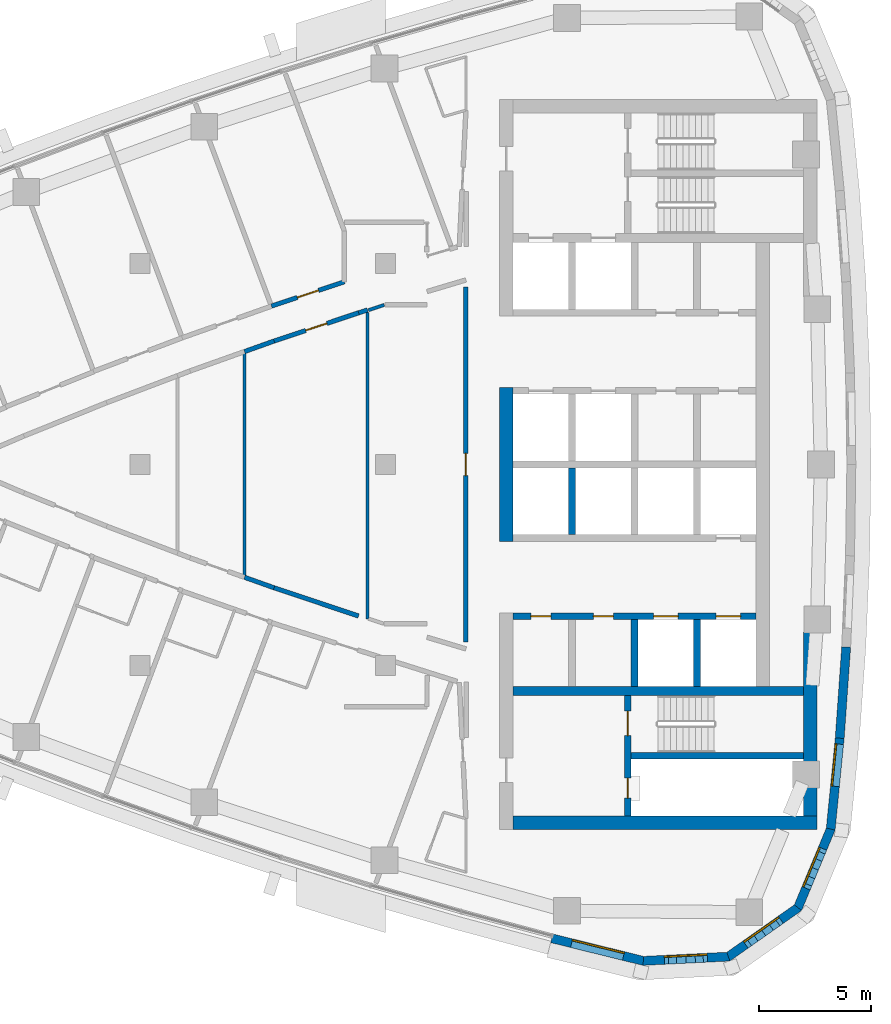
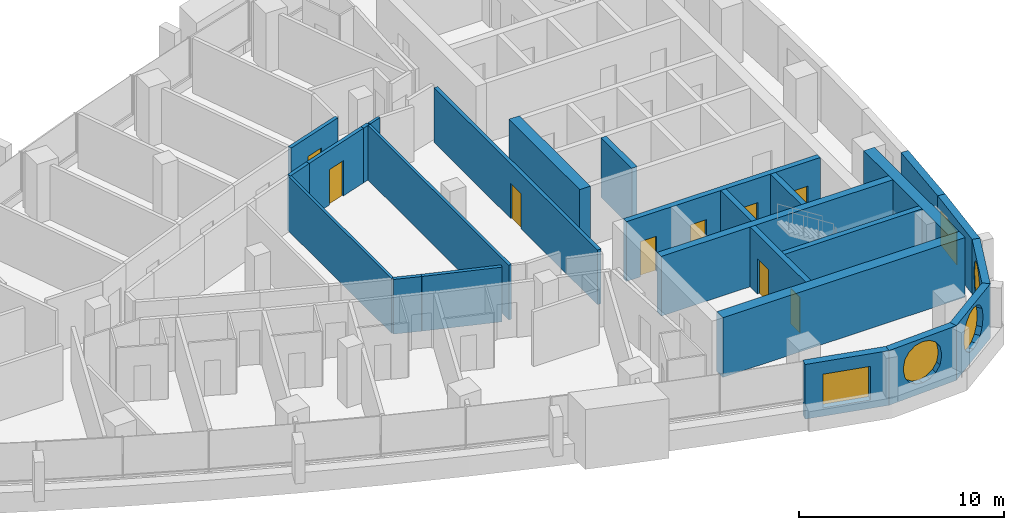
# One storey, part 10 of 16: 26 walls, 9 doors, 5 windows, 14 openings.
"""IFC4 building model written with IfcOpenShell, lengths in metres."""

import ifcopenshell
import ifcopenshell.guid

model = None  # the IFC model being written
_history = None  # IfcOwnerHistory: only IFC2X3 demands one
_inside = {}  # id of a spatial element -> (the spatial element, [elements in it])
_under = {}  # id of a project, library or spatial element -> (it, [spatial elements below it])
_declared = {}  # id of a project -> (the project, [libraries it declares])
_typed = {}  # id of a type object -> (the type object, [elements of that type])
_made_of = {}  # id of a material, layer set ... -> (it, [elements and type objects made of it])


def new_model(schema):
    """Start an empty IFC model of exactly this schema.

    Asked for "IFC4X3", IfcOpenShell would pick the latest addendum, in which some entities
    have other attributes; the version numbers below select the first issue.
    IFC2X3 requires an IfcOwnerHistory on every rooted entity: one is made here for all.
    """
    global model, _history
    if schema == "IFC4X3":
        model = ifcopenshell.file(schema_version=(4, 3, 0, 0))
    else:
        model = ifcopenshell.file(schema=schema)
    _inside.clear()
    _under.clear()
    _declared.clear()
    _typed.clear()
    _made_of.clear()
    _history = None
    if model.schema == "IFC2X3":
        org = make("IfcOrganization", Name="unknown")
        user = make(
            "IfcPersonAndOrganization",
            ThePerson=make("IfcPerson", FamilyName="unknown"),
            TheOrganization=org,
        )
        app = make(
            "IfcApplication",
            ApplicationDeveloper=org,
            Version="unknown",
            ApplicationFullName="unknown",
            ApplicationIdentifier="unknown",
        )
        _history = make(
            "IfcOwnerHistory",
            OwningUser=user,
            OwningApplication=app,
            ChangeAction="ADDED",
            CreationDate=0,
        )
    return model


def make(cls, **values):
    """One entity of the class cls with the attributes given. An attribute that is None is left unset."""
    return model.create_entity(
        cls, **{name: value for name, value in values.items() if value is not None}
    )


def rooted(cls, **values):
    """An entity with a GlobalId (a new one), such as an element, a storey or a relation."""
    return make(cls, GlobalId=ifcopenshell.guid.new(), OwnerHistory=_history, **values)


def si_unit(unit_type, name, prefix=None):
    """IfcSIUnit, for example si_unit("LENGTHUNIT", "METRE", prefix="MILLI")."""
    return make("IfcSIUnit", UnitType=unit_type, Prefix=prefix, Name=name)


def assignment(units):
    """IfcUnitAssignment: the units of a project."""
    return None if units is None else make("IfcUnitAssignment", Units=units)


def point(xyz):
    """IfcCartesianPoint."""
    return None if xyz is None else make("IfcCartesianPoint", Coordinates=xyz)


def direction(xyz):
    """IfcDirection."""
    return None if xyz is None else make("IfcDirection", DirectionRatios=xyz)


def frame(location, z_axis=None, x_axis=None):
    """IfcAxis2Placement3D, a coordinate frame: its origin and axes. An axis left out is left unset."""
    return make(
        "IfcAxis2Placement3D",
        Location=point(location),
        Axis=direction(z_axis),
        RefDirection=direction(x_axis),
    )


def frame_2d(location, x_axis=None):
    """IfcAxis2Placement2D, a coordinate frame in the plane: its origin and x axis."""
    return make(
        "IfcAxis2Placement2D", Location=point(location), RefDirection=direction(x_axis)
    )


def origin():
    """The frame at (0, 0, 0) with its axes left unset."""
    return frame((0.0, 0.0, 0.0))


def place(relative_to, where):
    """IfcLocalPlacement: puts the frame where relative to a parent placement (None: the world)."""
    return make(
        "IfcLocalPlacement", PlacementRelTo=relative_to, RelativePlacement=where
    )


def context(
    kind, dimensions, precision=None, world=None, true_north=None, identifier=None
):
    """IfcGeometricRepresentationContext, for example the 3D "Model" context."""
    return make(
        "IfcGeometricRepresentationContext",
        ContextIdentifier=identifier,
        ContextType=kind,
        CoordinateSpaceDimension=dimensions,
        Precision=precision,
        WorldCoordinateSystem=world,
        TrueNorth=true_north,
    )


def subcontext(parent, identifier, kind, view, scale=None):
    """IfcGeometricRepresentationSubContext, for example "Body" below "Model"."""
    return make(
        "IfcGeometricRepresentationSubContext",
        ContextIdentifier=identifier,
        ContextType=kind,
        ParentContext=parent,
        TargetScale=scale,
        TargetView=view,
    )


def project(units=None, contexts=None):
    """IfcProject with its units and contexts."""
    return rooted(
        "IfcProject",
        Name="project",
        RepresentationContexts=contexts,
        UnitsInContext=assignment(units),
    )


def spatial(cls, under=None, at=None, **own):
    """A site, building, storey or space (cls), placed at a placement, below another one or the project."""
    s = rooted(cls, ObjectPlacement=at, **own)
    if under is not None:
        _under.setdefault(under.id(), (under, []))[1].append(s)
    return s


def polyline(points):
    """IfcPolyline through the points."""
    return make("IfcPolyline", Points=[point(p) for p in points])


def profile(cls, at=None, kind="AREA", **sizes):
    """A parametric profile (cls). Its sizes go by their IFC names, for example OverallWidth=200.0."""
    return make(cls, ProfileType=kind, Position=at, **sizes)


def rectangle(**sizes):
    """IfcRectangleProfileDef."""
    return profile("IfcRectangleProfileDef", **sizes)


def outline(outer, holes=None, kind="AREA"):
    """IfcArbitraryClosedProfileDef: a profile drawn as a closed curve; with holes, ...WithVoids."""
    if holes is None:
        return make("IfcArbitraryClosedProfileDef", ProfileType=kind, OuterCurve=outer)
    return make(
        "IfcArbitraryProfileDefWithVoids",
        ProfileType=kind,
        OuterCurve=outer,
        InnerCurves=holes,
    )


def extrude(swept, where, along, depth):
    """IfcExtrudedAreaSolid: the profile swept, set in the frame where, extruded along a direction by depth."""
    return make(
        "IfcExtrudedAreaSolid",
        SweptArea=swept,
        Position=where,
        ExtrudedDirection=direction(along),
        Depth=depth,
    )


def shape(context_of_items, identifier, shape_type, items):
    """IfcShapeRepresentation: the items that make up one representation, for example the "Body"."""
    return make(
        "IfcShapeRepresentation",
        ContextOfItems=context_of_items,
        RepresentationIdentifier=identifier,
        RepresentationType=shape_type,
        Items=items,
    )


def material(Name=None, Category=None):
    """IfcMaterial."""
    return make("IfcMaterial", Name=Name, Category=Category)


def layer(
    of_material, thickness, ventilated=None, Name=None, Category=None, Priority=None
):
    """IfcMaterialLayer: one layer of a wall or slab, of a material (None: an air gap)."""
    return make(
        "IfcMaterialLayer",
        Material=of_material,
        LayerThickness=thickness,
        IsVentilated=ventilated,
        Name=Name,
        Category=Category,
        Priority=Priority,
    )


def layer_set(layers, Name=None):
    """IfcMaterialLayerSet."""
    return make("IfcMaterialLayerSet", MaterialLayers=layers, LayerSetName=Name)


def made_of(thing, what):
    """Note that an element or type object is made of a material, layer set ...; save() writes the relation."""
    if what is not None:
        _made_of.setdefault(what.id(), (what, []))[1].append(thing)
    return thing


def type_object(cls, material=None, **own):
    """A type object (cls), such as IfcWallType, which elements share."""
    return made_of(rooted(cls, **own), material)


def element(
    cls,
    number,
    at=None,
    inside=None,
    cuts=None,
    type_object=None,
    material=None,
    context=None,
    identifier="Body",
    shape_type=None,
    held_by="IfcProductDefinitionShape",
    body=None,
    shapes=None,
    **own,
):
    """One element of the class cls, such as IfcWall. Its Tag is "e" and its number.

    at: its placement. inside: the storey or other place that contains it. cuts: it is an
    opening in that element (IfcRelVoidsElement). A single representation is given by context,
    identifier, shape_type and body (its items); several are given by shapes. held_by: the class
    of the entity that holds the representations. save() writes the other relations.
    """
    e = rooted(cls, Tag="e%d" % number, ObjectPlacement=at, **own)
    if body is not None:
        shapes = [shape(context, identifier, shape_type, body)]
    if shapes is not None:
        e.Representation = make(held_by, Representations=shapes)
    if inside is not None:
        _inside.setdefault(inside.id(), (inside, []))[1].append(e)
    if cuts is not None:
        rooted(
            "IfcRelVoidsElement", RelatingBuildingElement=cuts, RelatedOpeningElement=e
        )
    if type_object is not None:
        _typed.setdefault(type_object.id(), (type_object, []))[1].append(e)
    return made_of(e, material)


def fill(opening, filler):
    """IfcRelFillsElement: the door or window that sits in an opening."""
    return rooted(
        "IfcRelFillsElement",
        RelatingOpeningElement=opening,
        RelatedBuildingElement=filler,
    )


def aggregate(whole, parts):
    """IfcRelAggregates: a whole, such as a stair, and the parts it consists of."""
    return rooted("IfcRelAggregates", RelatingObject=whole, RelatedObjects=parts)


def save(model, path):
    """Write the relations noted so far, then the file.

    IfcRelAggregates (storeys below a building ...), IfcRelContainedInSpatialStructure (elements
    in a storey), IfcRelDefinesByType, IfcRelAssociatesMaterial and IfcRelDeclares: one each for
    every whole, place, type object, material and project.
    """
    for whole, parts in _under.values():
        aggregate(whole, parts)
    for where, things in _inside.values():
        rooted(
            "IfcRelContainedInSpatialStructure",
            RelatedElements=things,
            RelatingStructure=where,
        )
    for kind, things in _typed.values():
        rooted("IfcRelDefinesByType", RelatedObjects=things, RelatingType=kind)
    for what, things in _made_of.values():
        rooted("IfcRelAssociatesMaterial", RelatedObjects=things, RelatingMaterial=what)
    for by, libraries in _declared.values():
        rooted("IfcRelDeclares", RelatingContext=by, RelatedDefinitions=libraries)
    model.write(path)


model = new_model("IFC4")

# Units and contexts
model_context = context("Model", 3, precision=1e-05, world=origin(), true_north=direction((0.0, 1.0)))
body_context = subcontext(model_context, "Body", "Model", "MODEL_VIEW")
ifc_project = project(units=[si_unit("LENGTHUNIT", "METRE"), si_unit("AREAUNIT", "SQUARE_METRE"), si_unit("VOLUMEUNIT", "CUBIC_METRE"), si_unit("PLANEANGLEUNIT", "RADIAN"), si_unit("MASSUNIT", "GRAM", prefix="KILO")], contexts=[model_context])

# Site, building, storey
site_placement = place(None, origin())
site = spatial("IfcSite", under=ifc_project, at=site_placement, CompositionType="ELEMENT")
building_placement = place(site_placement, origin())
building = spatial("IfcBuilding", under=site, at=building_placement, Name="Ostrand Prow Hotel Tower", CompositionType="ELEMENT")
storey_placement = place(building_placement, frame((0.0, 0.0, 245.64990234375)))
storey = spatial("IfcBuildingStorey", under=building, at=storey_placement, Name="L62", CompositionType="ELEMENT", Elevation=245.64990234375)

# Wall, openings, doors
ifc_material_1 = material(Name="Concrete C50/60", Category="concrete")
ifc_layer_1 = layer(ifc_material_1, 0.300048828125)
ifc_layer_set_1 = layer_set([ifc_layer_1], Name="Concrete C50/60")
wall_type_1 = type_object("IfcWallType", Name="Core wall 300 C50/60", PredefinedType="SHEAR", material=ifc_layer_set_1)
wall_1_placement = place(storey_placement, frame((50.699951171875, -6.800048828125, 0.0), z_axis=(0.0, 0.0, 1.0), x_axis=(1.0, 0.0, 0.0)))
wall_1 = element("IfcWall", 1, at=wall_1_placement, inside=storey, type_object=wall_type_1, Name="Core wall PW-L2-S", PredefinedType="SHEAR", context=body_context, shape_type="SweptSolid", body=[
    extrude(rectangle(XDim=10.900146484375, YDim=0.300048828125, at=frame_2d((5.4501953125, 0.0))), origin(), (0.0, 0.0, 1.0), 3.550048828125),
])
opening_1_placement = place(wall_1_placement, frame((6.300048828125, 0.0, 0.0)))
opening_1 = element("IfcOpeningElement", 2, at=opening_1_placement, cuts=wall_1, Name="Opening LD", PredefinedType="OPENING", context=body_context, shape_type="SweptSolid", body=[
    extrude(rectangle(XDim=1.10009765625, YDim=2.10009765625, at=frame_2d((0.550048828125, 1.050048828125))), frame((0.0, 0.159912109375, 0.0), z_axis=(0.0, -1.0, 0.0), x_axis=(1.0, 0.0, 0.0)), (0.0, 0.0, 1.0), 0.320068359375),
])
opening_2_placement = place(wall_1_placement, frame((9.10009765625, 0.0, 0.0)))
opening_2 = element("IfcOpeningElement", 3, at=opening_2_placement, cuts=wall_1, Name="Opening LD", PredefinedType="OPENING", context=body_context, shape_type="SweptSolid", body=[
    extrude(rectangle(XDim=1.10009765625, YDim=2.10009765625, at=frame_2d((0.550048828125, 1.050048828125))), frame((0.0, 0.159912109375, 0.0), z_axis=(0.0, -1.0, 0.0), x_axis=(1.0, 0.0, 0.0)), (0.0, 0.0, 1.0), 0.320068359375),
])
opening_3_placement = place(wall_1_placement, frame((0.800048828125, 0.0, 0.0)))
opening_3 = element("IfcOpeningElement", 4, at=opening_3_placement, cuts=wall_1, Name="Opening FD2", PredefinedType="OPENING", context=body_context, shape_type="SweptSolid", body=[
    extrude(rectangle(XDim=0.89990234375, YDim=2.10009765625, at=frame_2d((0.449951171875, 1.050048828125))), frame((0.0, 0.159912109375, 0.0), z_axis=(0.0, -1.0, 0.0), x_axis=(1.0, 0.0, 0.0)), (0.0, 0.0, 1.0), 0.320068359375),
])
opening_4_placement = place(wall_1_placement, frame((3.60009765625, 0.0, 0.0)))
opening_4 = element("IfcOpeningElement", 5, at=opening_4_placement, cuts=wall_1, Name="Opening FD2", PredefinedType="OPENING", context=body_context, shape_type="SweptSolid", body=[
    extrude(rectangle(XDim=0.89990234375, YDim=2.10009765625, at=frame_2d((0.449951171875, 1.050048828125))), frame((0.0, 0.159912109375, 0.0), z_axis=(0.0, -1.0, 0.0), x_axis=(1.0, 0.0, 0.0)), (0.0, 0.0, 1.0), 0.320068359375),
])
ifc_material_2 = material(Name="Steel fire door", Category="steel")
door_type_1 = type_object("IfcDoorType", Name="Fire door 900 EI120", OperationType="SINGLE_SWING_LEFT", PredefinedType="DOOR", material=ifc_material_2)
door_1_placement = place(opening_3_placement, origin())
door_1 = element("IfcDoor", 6, at=door_1_placement, inside=storey, type_object=door_type_1, Name="DOOR", OperationType="SINGLE_SWING_LEFT", OverallHeight=2.10009765625, OverallWidth=0.89990234375, PredefinedType="DOOR", context=body_context, shape_type="SweptSolid", body=[
    extrude(rectangle(XDim=0.89990234375, YDim=2.10009765625, at=frame_2d((0.449951171875, 1.050048828125))), frame((0.0, 0.02490234375, 0.0), z_axis=(0.0, -1.0, 0.0), x_axis=(1.0, 0.0, 0.0)), (0.0, 0.0, 1.0), 0.050048828125),
])
fill(opening_3, door_1)
door_2_placement = place(opening_4_placement, origin())
door_2 = element("IfcDoor", 7, at=door_2_placement, inside=storey, type_object=door_type_1, Name="DOOR", OperationType="SINGLE_SWING_LEFT", OverallHeight=2.10009765625, OverallWidth=0.89990234375, PredefinedType="DOOR", context=body_context, shape_type="SweptSolid", body=[
    extrude(rectangle(XDim=0.89990234375, YDim=2.10009765625, at=frame_2d((0.449951171875, 1.050048828125))), frame((0.0, 0.02490234375, 0.0), z_axis=(0.0, -1.0, 0.0), x_axis=(1.0, 0.0, 0.0)), (0.0, 0.0, 1.0), 0.050048828125),
])
fill(opening_4, door_2)
ifc_material_3 = material(Name="Stainless steel door", Category="steel")
door_type_2 = type_object("IfcDoorType", Name="Lift landing door 1100", OperationType="DOUBLE_DOOR_SLIDING", PredefinedType="DOOR", material=ifc_material_3)
door_3_placement = place(opening_1_placement, origin())
door_3 = element("IfcDoor", 8, at=door_3_placement, inside=storey, type_object=door_type_2, Name="LIFT LANDING DOOR", OperationType="DOUBLE_DOOR_SLIDING", OverallHeight=2.10009765625, OverallWidth=1.10009765625, PredefinedType="DOOR", context=body_context, shape_type="SweptSolid", body=[
    extrude(rectangle(XDim=1.10009765625, YDim=2.10009765625, at=frame_2d((0.550048828125, 1.050048828125))), frame((0.0, 0.02490234375, 0.0), z_axis=(0.0, -1.0, 0.0), x_axis=(1.0, 0.0, 0.0)), (0.0, 0.0, 1.0), 0.050048828125),
])
fill(opening_1, door_3)
door_4_placement = place(opening_2_placement, origin())
door_4 = element("IfcDoor", 9, at=door_4_placement, inside=storey, type_object=door_type_2, Name="LIFT LANDING DOOR", OperationType="DOUBLE_DOOR_SLIDING", OverallHeight=2.10009765625, OverallWidth=1.10009765625, PredefinedType="DOOR", context=body_context, shape_type="SweptSolid", body=[
    extrude(rectangle(XDim=1.10009765625, YDim=2.10009765625, at=frame_2d((0.550048828125, 1.050048828125))), frame((0.0, 0.02490234375, 0.0), z_axis=(0.0, -1.0, 0.0), x_axis=(1.0, 0.0, 0.0)), (0.0, 0.0, 1.0), 0.050048828125),
])
fill(opening_2, door_4)

# Walls
for number, where, z_axis, x_axis, name in (
    (10, (53.35009765625, -3.14990234375, 0.0), (0.0, 0.0, 1.0), (0.0, 1.0, 0.0), "Core wall PW-R1-SB"),
    (11, (56.14990234375, -9.949951171875, 0.0), (0.0, 0.0, 1.0), (0.0, 1.0, 0.0), "Core wall PW-R2-SA"),
    (12, (58.949951171875, -9.949951171875, 0.0), (0.0, 0.0, 1.0), (0.0, 1.0, 0.0), "Core wall PW-R3-SA"),
):
    element("IfcWall", number, at=place(storey_placement, frame(where, z_axis=z_axis, x_axis=x_axis)), inside=storey, type_object=wall_type_1, Name=name, PredefinedType="SHEAR", context=body_context, shape_type="SweptSolid", body=[
        extrude(rectangle(XDim=3.0, YDim=0.300048828125, at=frame_2d((1.5, 0.0))), origin(), (0.0, 0.0, 1.0), 3.550048828125),
    ])

# Wall, openings, doors
wall_2_placement = place(storey_placement, frame((55.85009765625, -15.75, 0.0), z_axis=(0.0, 0.0, 1.0), x_axis=(0.0, 1.0, 0.0)))
wall_2 = element("IfcWall", 13, at=wall_2_placement, inside=storey, type_object=wall_type_1, Name="Core wall PW-VS", PredefinedType="SHEAR", context=body_context, shape_type="SweptSolid", body=[
    extrude(rectangle(XDim=5.39990234375, YDim=0.300048828125, at=frame_2d((2.699951171875, 0.0))), origin(), (0.0, 0.0, 1.0), 3.550048828125),
])
opening_5_placement = place(wall_2_placement, frame((3.60009765625, 0.0, 0.0)))
opening_5 = element("IfcOpeningElement", 14, at=opening_5_placement, cuts=wall_2, Name="Opening FD1", PredefinedType="OPENING", context=body_context, shape_type="SweptSolid", body=[
    extrude(rectangle(XDim=1.10009765625, YDim=2.10009765625, at=frame_2d((0.550048828125, 1.050048828125))), frame((0.0, 0.159912109375, 0.0), z_axis=(0.0, -1.0, 0.0), x_axis=(1.0, 0.0, 0.0)), (0.0, 0.0, 1.0), 0.320068359375),
])
opening_6_placement = place(wall_2_placement, frame((0.800048828125, 0.0, 0.0)))
opening_6 = element("IfcOpeningElement", 15, at=opening_6_placement, cuts=wall_2, Name="Opening FD2", PredefinedType="OPENING", context=body_context, shape_type="SweptSolid", body=[
    extrude(rectangle(XDim=0.89990234375, YDim=2.10009765625, at=frame_2d((0.449951171875, 1.050048828125))), frame((0.0, 0.159912109375, 0.0), z_axis=(0.0, -1.0, 0.0), x_axis=(1.0, 0.0, 0.0)), (0.0, 0.0, 1.0), 0.320068359375),
])
ifc_material_4 = material(Name="Steel fire door", Category="steel")
door_type_3 = type_object("IfcDoorType", Name="Fire door 1100 EI120", OperationType="SINGLE_SWING_RIGHT", PredefinedType="DOOR", material=ifc_material_4)
door_5_placement = place(opening_5_placement, origin())
door_5 = element("IfcDoor", 16, at=door_5_placement, inside=storey, type_object=door_type_3, Name="FIRE DOOR", OperationType="SINGLE_SWING_RIGHT", OverallHeight=2.10009765625, OverallWidth=1.10009765625, PredefinedType="DOOR", context=body_context, shape_type="SweptSolid", body=[
    extrude(rectangle(XDim=1.10009765625, YDim=2.10009765625, at=frame_2d((0.550048828125, 1.050048828125))), frame((0.0, 0.02490234375, 0.0), z_axis=(0.0, -1.0, 0.0), x_axis=(1.0, 0.0, 0.0)), (0.0, 0.0, 1.0), 0.050048828125),
])
fill(opening_5, door_5)
door_6_placement = place(opening_6_placement, origin())
door_6 = element("IfcDoor", 17, at=door_6_placement, inside=storey, type_object=door_type_1, Name="FIRE DOOR", OperationType="SINGLE_SWING_LEFT", OverallHeight=2.10009765625, OverallWidth=0.89990234375, PredefinedType="DOOR", context=body_context, shape_type="SweptSolid", body=[
    extrude(rectangle(XDim=0.89990234375, YDim=2.10009765625, at=frame_2d((0.449951171875, 1.050048828125))), frame((0.0, 0.02490234375, 0.0), z_axis=(0.0, -1.0, 0.0), x_axis=(1.0, 0.0, 0.0)), (0.0, 0.0, 1.0), 0.050048828125),
])
fill(opening_6, door_6)

# Walls
wall_3_placement = place(storey_placement, frame((56.0, -13.050048828125, 0.0), z_axis=(0.0, 0.0, 1.0), x_axis=(1.0, 0.0, 0.0)))
element("IfcWall", 18, at=wall_3_placement, inside=storey, type_object=wall_type_1, Name="Core wall PW-ST2R", PredefinedType="SHEAR", context=body_context, shape_type="SweptSolid", body=[
    extrude(rectangle(XDim=7.719970703125, YDim=0.300048828125, at=frame_2d((3.85986328125, 0.0))), origin(), (0.0, 0.0, 1.0), 3.550048828125),
])
ifc_material_5 = material(Name="Concrete C50/60", Category="concrete")
ifc_layer_2 = layer(ifc_material_5, 0.39990234375)
ifc_layer_set_2 = layer_set([ifc_layer_2], Name="Concrete C50/60")
wall_type_2 = type_object("IfcWallType", Name="Core wall 400 C50/60", PredefinedType="SHEAR", material=ifc_layer_set_2)
wall_4_placement = place(storey_placement, frame((50.699951171875, -10.14990234375, 0.0), z_axis=(0.0, 0.0, 1.0), x_axis=(1.0, 0.0, 0.0)))
element("IfcWall", 19, at=wall_4_placement, inside=storey, type_object=wall_type_2, Name="Core wall PW-BS", PredefinedType="SHEAR", context=body_context, shape_type="SweptSolid", body=[
    extrude(rectangle(XDim=13.02001953125, YDim=0.39990234375, at=frame_2d((6.510009765625, 0.0))), origin(), (0.0, 0.0, 1.0), 3.550048828125),
])
ifc_material_6 = material(Name="Concrete C50/60", Category="concrete")
ifc_layer_3 = layer(ifc_material_6, 0.60009765625)
ifc_layer_set_3 = layer_set([ifc_layer_3], Name="Concrete C50/60")
wall_type_3 = type_object("IfcWallType", Name="Core wall 600 C50/60", PredefinedType="SHEAR", material=ifc_layer_set_3)
wall_5_placement = place(storey_placement, frame((50.39990234375, -3.449951171875, 0.0), z_axis=(0.0, 0.0, 1.0), x_axis=(0.0, 1.0, 0.0)))
element("IfcWall", 20, at=wall_5_placement, inside=storey, type_object=wall_type_3, Name="Core wall CW-W-C", PredefinedType="SHEAR", context=body_context, shape_type="SweptSolid", body=[
    extrude(rectangle(XDim=6.89990234375, YDim=0.60009765625, at=frame_2d((3.449951171875, 0.0))), origin(), (0.0, 0.0, 1.0), 3.550048828125),
])
wall_6_placement = place(storey_placement, frame((50.699951171875, -16.050048828125, 0.0), z_axis=(0.0, 0.0, 1.0), x_axis=(1.0, 0.0, 0.0)))
element("IfcWall", 21, at=wall_6_placement, inside=storey, type_object=wall_type_3, Name="Core wall CW-S", PredefinedType="SHEAR", context=body_context, shape_type="SweptSolid", body=[
    extrude(rectangle(XDim=13.6201171875, YDim=0.60009765625, at=frame_2d((6.81005859375, 0.0))), origin(), (0.0, 0.0, 1.0), 3.550048828125),
])
wall_7_placement = place(storey_placement, frame((64.02001953125, -15.75, 0.0), z_axis=(0.0, 0.0, 1.0), x_axis=(0.0, 1.0, 0.0)))
element("IfcWall", 22, at=wall_7_placement, inside=storey, type_object=wall_type_3, Name="Core wall CW-E-S", PredefinedType="SHEAR", context=body_context, shape_type="SweptSolid", body=[
    extrude(rectangle(XDim=8.247802734375, YDim=0.60009765625, at=frame_2d((4.1240234375, 0.0))), origin(), (0.0, 0.0, 1.0), 3.550048828125),
])
ifc_material_7 = material(Name="Plasterboard partition")
ifc_layer_4 = layer(ifc_material_7, 0.14990234375)
ifc_layer_set_4 = layer_set([ifc_layer_4], Name="Plasterboard partition")
wall_type_4 = type_object("IfcWallType", Name="Partition 150 room partition", PredefinedType="PARTITIONING", material=ifc_layer_set_4)
wall_8_placement = place(storey_placement, frame((38.673583984375, -5.0546875, 0.0), z_axis=(0.0, 0.0, 1.0), x_axis=(0.0, 1.0, 0.0)))
element("IfcWall", 23, at=wall_8_placement, inside=storey, type_object=wall_type_4, Name="ROOM PARTITION", PredefinedType="PARTITIONING", context=body_context, shape_type="SweptSolid", body=[
    extrude(rectangle(XDim=10.109375, YDim=0.14990234375, at=frame_2d((5.0546875, 0.0))), origin(), (0.0, 0.0, 1.0), 3.25),
])
wall_9_placement = place(storey_placement, frame((44.188232421875, -6.91796875, 0.0), z_axis=(0.0, 0.0, 1.0), x_axis=(0.0, 1.0, 0.0)))
element("IfcWall", 24, at=wall_9_placement, inside=storey, type_object=wall_type_4, Name="ROOM PARTITION", PredefinedType="PARTITIONING", context=body_context, shape_type="SweptSolid", body=[
    extrude(rectangle(XDim=13.731201171875, YDim=0.14990234375, at=frame_2d((6.86572265625, 0.0))), origin(), (0.0, 0.0, 1.0), 3.25),
])
wall_10_placement = place(storey_placement, frame((44.228271484375, 6.9130859375, 0.0), z_axis=(0.0, 0.0, 1.0), x_axis=(0.949957891139, 0.312377984279, 0.0)))
element("IfcWall", 25, at=wall_10_placement, inside=storey, type_object=wall_type_4, Name="ROOM PARTITION", PredefinedType="PARTITIONING", context=body_context, shape_type="SweptSolid", body=[
    extrude(rectangle(XDim=0.742431640625, YDim=0.14990234375, at=frame_2d((0.37109375, 0.0))), origin(), (0.0, 0.0, 1.0), 3.25),
])

# Wall, opening, door
ifc_material_8 = material(Name="Plasterboard partition")
ifc_layer_5 = layer(ifc_material_8, 0.199951171875)
ifc_layer_set_5 = layer_set([ifc_layer_5], Name="Plasterboard partition")
wall_type_5 = type_object("IfcWallType", Name="Partition 200 corridor wall", PredefinedType="PARTITIONING", material=ifc_layer_set_5)
wall_11_placement = place(storey_placement, frame((43.14990234375, 8.1826171875, 0.0), z_axis=(0.0, 0.0, 1.0), x_axis=(-0.948477584784, -0.316844238013, 0.0)))
wall_11 = element("IfcWall", 26, at=wall_11_placement, inside=storey, type_object=wall_type_5, Name="CORRIDOR WALL", PredefinedType="PARTITIONING", context=body_context, shape_type="SweptSolid", body=[
    extrude(rectangle(XDim=3.445068359375, YDim=0.199951171875, at=frame_2d((1.72265625, 0.0))), origin(), (0.0, 0.0, 1.0), 3.25),
])
opening_7_placement = place(wall_11_placement, frame((1.222412109375, 0.0, 0.0)))
opening_7 = element("IfcOpeningElement", 27, at=opening_7_placement, cuts=wall_11, Name="Opening D1", PredefinedType="OPENING", context=body_context, shape_type="SweptSolid", body=[
    extrude(rectangle(XDim=1.0, YDim=2.10009765625, at=frame_2d((0.5, 1.050048828125))), frame((0.0, 0.10986328125, 0.0), z_axis=(0.0, -1.0, 0.0), x_axis=(1.0, 0.0, 0.0)), (0.0, 0.0, 1.0), 0.219970703125),
])
ifc_material_9 = material(Name="Timber door leaf", Category="wood")
door_type_4 = type_object("IfcDoorType", Name="Guest room door 1000", OperationType="SINGLE_SWING_LEFT", PredefinedType="DOOR", material=ifc_material_9)
door_7_placement = place(opening_7_placement, origin())
door_7 = element("IfcDoor", 28, at=door_7_placement, inside=storey, type_object=door_type_4, Name="DOOR", OperationType="SINGLE_SWING_LEFT", OverallHeight=2.10009765625, OverallWidth=1.0, PredefinedType="DOOR", context=body_context, shape_type="SweptSolid", body=[
    extrude(rectangle(XDim=1.0, YDim=2.10009765625, at=frame_2d((0.5, 1.050048828125))), frame((0.0, 0.02490234375, 0.0), z_axis=(0.0, -1.0, 0.0), x_axis=(1.0, 0.0, 0.0)), (0.0, 0.0, 1.0), 0.050048828125),
])
fill(opening_7, door_7)

wall_12_placement = place(storey_placement, frame((39.999267578125, 5.52734375, 0.0), z_axis=(0.0, 0.0, 1.0), x_axis=(0.948469186567, 0.316869377084, 0.0)))
wall_12 = element("IfcWall", 29, at=wall_12_placement, inside=storey, type_object=wall_type_5, Name="CORRIDOR WALL", PredefinedType="PARTITIONING", context=body_context, shape_type="SweptSolid", body=[
    extrude(rectangle(XDim=3.994873046875, YDim=0.199951171875, at=frame_2d((1.99755859375, 0.0))), origin(), (0.0, 0.0, 1.0), 3.25),
])
opening_8_placement = place(wall_12_placement, frame((1.49755859375, 0.0, 0.0)))
opening_8 = element("IfcOpeningElement", 30, at=opening_8_placement, cuts=wall_12, Name="Opening D1", PredefinedType="OPENING", context=body_context, shape_type="SweptSolid", body=[
    extrude(rectangle(XDim=1.0, YDim=2.10009765625, at=frame_2d((0.5, 1.050048828125))), frame((0.0, 0.10986328125, 0.0), z_axis=(0.0, -1.0, 0.0), x_axis=(1.0, 0.0, 0.0)), (0.0, 0.0, 1.0), 0.219970703125),
])
door_8_placement = place(opening_8_placement, origin())
door_8 = element("IfcDoor", 31, at=door_8_placement, inside=storey, type_object=door_type_4, Name="DOOR", OperationType="SINGLE_SWING_LEFT", OverallHeight=2.10009765625, OverallWidth=1.0, PredefinedType="DOOR", context=body_context, shape_type="SweptSolid", body=[
    extrude(rectangle(XDim=1.0, YDim=2.10009765625, at=frame_2d((0.5, 1.050048828125))), frame((0.0, 0.02490234375, 0.0), z_axis=(0.0, -1.0, 0.0), x_axis=(1.0, 0.0, 0.0)), (0.0, 0.0, 1.0), 0.050048828125),
])
fill(opening_8, door_8)

# Walls
wall_13_placement = place(storey_placement, frame((43.788330078125, -6.793212890625, 0.0), z_axis=(0.0, 0.0, 1.0), x_axis=(-0.948469186567, 0.316869377084, 0.0)))
element("IfcWall", 32, at=wall_13_placement, inside=storey, type_object=wall_type_5, Name="CORRIDOR WALL", PredefinedType="PARTITIONING", context=body_context, shape_type="SweptSolid", body=[
    extrude(rectangle(XDim=3.994873046875, YDim=0.199951171875, at=frame_2d((1.99755859375, 0.0))), origin(), (0.0, 0.0, 1.0), 3.25),
])
for number, where, z_axis, x_axis, name in (
    (33, (39.999267578125, -5.52734375, 0.0), (0.0, 0.0, 1.0), (-0.941922306529, 0.33583086288, 0.0), "CORRIDOR WALL"),
    (34, (38.673583984375, 5.0546875, 0.0), (0.0, 0.0, 1.0), (0.941922306529, 0.33583086288, 0.0), "CORRIDOR WALL"),
):
    element("IfcWall", number, at=place(storey_placement, frame(where, z_axis=z_axis, x_axis=x_axis)), inside=storey, type_object=wall_type_5, Name=name, PredefinedType="PARTITIONING", context=body_context, shape_type="SweptSolid", body=[
        extrude(rectangle(XDim=1.407470703125, YDim=0.199951171875, at=frame_2d((0.70361328125, 0.0))), origin(), (0.0, 0.0, 1.0), 3.25),
    ])

# Wall, opening, door
wall_14_placement = place(storey_placement, frame((48.594970703125, 7.95703125, 0.0), z_axis=(0.0, 0.0, 1.0), x_axis=(0.0, -1.0, 0.0)))
wall_14 = element("IfcWall", 35, at=wall_14_placement, inside=storey, type_object=wall_type_5, Name="CORRIDOR WALL", PredefinedType="PARTITIONING", context=body_context, shape_type="SweptSolid", body=[
    extrude(rectangle(XDim=15.9140625, YDim=0.199951171875, at=frame_2d((7.95703125, 0.0))), origin(), (0.0, 0.0, 1.0), 3.25),
])
opening_9_placement = place(wall_14_placement, frame((7.45703125, 0.0, 0.0)))
opening_9 = element("IfcOpeningElement", 36, at=opening_9_placement, cuts=wall_14, Name="Opening D1R", PredefinedType="OPENING", context=body_context, shape_type="SweptSolid", body=[
    extrude(rectangle(XDim=1.0, YDim=2.10009765625, at=frame_2d((0.5, 1.050048828125))), frame((0.0, 0.10986328125, 0.0), z_axis=(0.0, -1.0, 0.0), x_axis=(1.0, 0.0, 0.0)), (0.0, 0.0, 1.0), 0.219970703125),
])
ifc_material_10 = material(Name="Timber door leaf", Category="wood")
door_type_5 = type_object("IfcDoorType", Name="Guest room door 1000 right", OperationType="SINGLE_SWING_RIGHT", PredefinedType="DOOR", material=ifc_material_10)
door_9_placement = place(opening_9_placement, origin())
door_9 = element("IfcDoor", 37, at=door_9_placement, inside=storey, type_object=door_type_5, Name="DOOR", OperationType="SINGLE_SWING_RIGHT", OverallHeight=2.10009765625, OverallWidth=1.0, PredefinedType="DOOR", context=body_context, shape_type="SweptSolid", body=[
    extrude(rectangle(XDim=1.0, YDim=2.10009765625, at=frame_2d((0.5, 1.050048828125))), frame((0.0, 0.02490234375, 0.0), z_axis=(0.0, -1.0, 0.0), x_axis=(1.0, 0.0, 0.0)), (0.0, 0.0, 1.0), 0.050048828125),
])
fill(opening_9, door_9)

# Wall
wall_15_placement = place(storey_placement, frame((43.788330078125, 6.793212890625, 0.0), z_axis=(0.0, 0.0, 1.0), x_axis=(0.95462504626, 0.297810377679, 0.0)))
element("IfcWall", 38, at=wall_15_placement, inside=storey, type_object=wall_type_5, Name="CORRIDOR WALL", PredefinedType="PARTITIONING", context=body_context, shape_type="SweptSolid", body=[
    extrude(rectangle(XDim=0.4189453125, YDim=0.199951171875, at=frame_2d((0.20947265625, 0.0))), origin(), (0.0, 0.0, 1.0), 3.25),
])

# Wall, opening, window
ifc_material_11 = material(Name="Precast concrete C40/50", Category="concrete")
ifc_layer_6 = layer(ifc_material_11, 0.39990234375)
ifc_layer_set_6 = layer_set([ifc_layer_6], Name="Precast concrete C40/50")
wall_type_6 = type_object("IfcWallType", Name="Stone-faced precast wall 400 mm", PredefinedType="NOTDEFINED", material=ifc_layer_set_6)
wall_16_placement = place(storey_placement, frame((52.440673828125, -21.229736328125, 0.0), z_axis=(0.0, 0.0, 1.0), x_axis=(0.970902342456, -0.23947576373, 0.0)))
wall_16 = element("IfcWall", 39, at=wall_16_placement, inside=storey, type_object=wall_type_6, Name="Stone-faced wall back 1", PredefinedType="NOTDEFINED", context=body_context, shape_type="SweptSolid", body=[
    extrude(outline(polyline([(0.0, -0.199951171875), (4.255126953125, -0.199951171875), (4.196533203125, 0.199951171875), (0.0, 0.199951171875), (0.0, -0.199951171875)])), origin(), (0.0, 0.0, 1.0), 3.25),
])
opening_10_placement = place(wall_16_placement, frame((0.912841796875, 0.0, 0.5)))
opening_10 = element("IfcOpeningElement", 40, at=opening_10_placement, cuts=wall_16, Name="Opening WA1", PredefinedType="OPENING", context=body_context, shape_type="SweptSolid", body=[
    extrude(rectangle(XDim=2.39990234375, YDim=2.0, at=frame_2d((1.199951171875, 1.0))), frame((0.0, 0.2099609375, 0.0), z_axis=(0.0, -1.0, 0.0), x_axis=(1.0, 0.0, 0.0)), (0.0, 0.0, 1.0), 0.419921875),
])
ifc_material_12 = material(Name="Insulated glass in bronze frame", Category="glass")
window_type_1 = type_object("IfcWindowType", Name="Amenity picture window 2400x2000", PartitioningType="SINGLE_PANEL", PredefinedType="WINDOW", material=ifc_material_12)
window_1_placement = place(opening_10_placement, origin())
window_1 = element("IfcWindow", 41, at=window_1_placement, inside=storey, type_object=window_type_1, Name="Window back 1.1", OverallHeight=2.0, OverallWidth=2.39990234375, PartitioningType="SINGLE_PANEL", PredefinedType="WINDOW", context=body_context, shape_type="SweptSolid", body=[
    extrude(rectangle(XDim=2.39990234375, YDim=2.0, at=frame_2d((1.199951171875, 1.0))), frame((0.0, 0.169921875, 0.0), z_axis=(0.0, -1.0, 0.0), x_axis=(1.0, 0.0, 0.0)), (0.0, 0.0, 1.0), 0.06005859375),
])
fill(opening_10, window_1)

wall_17_placement = place(storey_placement, frame((56.54345703125, -22.24169921875, 0.0), z_axis=(0.0, 0.0, 1.0), x_axis=(0.998758875872, 0.049806705046, 0.0)))
wall_17 = element("IfcWall", 42, at=wall_17_placement, inside=storey, type_object=wall_type_6, Name="Stone-faced wall back 2", PredefinedType="NOTDEFINED", context=body_context, shape_type="SweptSolid", body=[
    extrude(outline(polyline([(-0.029296875, -0.199951171875), (3.871337890625, -0.199951171875), (3.755615234375, 0.199951171875), (0.029296875, 0.199951171875), (-0.029296875, -0.199951171875)])), origin(), (0.0, 0.0, 1.0), 3.25),
])
opening_11_placement = place(wall_17_placement, frame((0.806884765625, 0.0, 0.60009765625)))
opening_11 = element("IfcOpeningElement", 43, at=opening_11_placement, cuts=wall_17, Name="Opening WP2", PredefinedType="OPENING", context=body_context, shape_type="SweptSolid", body=[
    extrude(outline(polyline([(0.0, 1.35009765625), (0.083740234375, 1.77099609375), (0.322265625, 2.127685546875), (0.678955078125, 2.3662109375), (1.10009765625, 2.449951171875), (1.52099609375, 2.3662109375), (1.877685546875, 2.127685546875), (2.1162109375, 1.77099609375), (2.199951171875, 1.35009765625), (2.199951171875, 1.10009765625), (2.1162109375, 0.678955078125), (1.877685546875, 0.322265625), (1.52099609375, 0.083740234375), (1.10009765625, 0.0), (0.678955078125, 0.083740234375), (0.322265625, 0.322265625), (0.083740234375, 0.678955078125), (0.0, 1.099853515625), (0.0, 1.35009765625)])), frame((0.0, 0.2099609375, 0.0), z_axis=(0.0, -1.0, 0.0), x_axis=(1.0, 0.0, 0.0)), (0.0, 0.0, 1.0), 0.419921875),
])
ifc_material_13 = material(Name="Insulated glass in bronze frame", Category="glass")
window_type_2 = type_object("IfcWindowType", Name="Round-ended prow lounge window 2200x2450", PartitioningType="SINGLE_PANEL", PredefinedType="WINDOW", material=ifc_material_13)
window_2_placement = place(opening_11_placement, origin())
window_2 = element("IfcWindow", 44, at=window_2_placement, inside=storey, type_object=window_type_2, Name="Window back 2.1", OverallHeight=2.449951171875, OverallWidth=2.199951171875, PartitioningType="SINGLE_PANEL", PredefinedType="WINDOW", context=body_context, shape_type="SweptSolid", body=[
    extrude(outline(polyline([(0.0, 1.35009765625), (0.083740234375, 1.77099609375), (0.322265625, 2.127685546875), (0.678955078125, 2.3662109375), (1.10009765625, 2.449951171875), (1.52099609375, 2.3662109375), (1.877685546875, 2.127685546875), (2.1162109375, 1.77099609375), (2.199951171875, 1.35009765625), (2.199951171875, 1.10009765625), (2.1162109375, 0.678955078125), (1.877685546875, 0.322265625), (1.52099609375, 0.083740234375), (1.10009765625, 0.0), (0.678955078125, 0.083740234375), (0.322265625, 0.322265625), (0.083740234375, 0.678955078125), (0.0, 1.099853515625), (0.0, 1.35009765625)])), frame((0.0, 0.169921875, 0.0), z_axis=(0.0, -1.0, 0.0), x_axis=(1.0, 0.0, 0.0)), (0.0, 0.0, 1.0), 0.06005859375),
])
fill(opening_11, window_2)

wall_18_placement = place(storey_placement, frame((60.352294921875, -22.0517578125, 0.0), z_axis=(0.0, 0.0, 1.0), x_axis=(0.817942545532, 0.575299915009, 0.0)))
wall_18 = element("IfcWall", 45, at=wall_18_placement, inside=storey, type_object=wall_type_6, Name="Stone-faced wall back 3", PredefinedType="NOTDEFINED", context=body_context, shape_type="SweptSolid", body=[
    extrude(outline(polyline([(-0.057861328125, -0.199951171875), (3.871337890625, -0.199951171875), (3.755615234375, 0.199951171875), (0.057861328125, 0.199951171875), (-0.057861328125, -0.199951171875)])), origin(), (0.0, 0.0, 1.0), 3.25),
])
opening_12_placement = place(wall_18_placement, frame((0.806884765625, 0.0, 0.60009765625)))
opening_12 = element("IfcOpeningElement", 46, at=opening_12_placement, cuts=wall_18, Name="Opening WP2", PredefinedType="OPENING", context=body_context, shape_type="SweptSolid", body=[
    extrude(outline(polyline([(0.0, 1.35009765625), (0.083740234375, 1.77099609375), (0.322265625, 2.127685546875), (0.678955078125, 2.3662109375), (1.10009765625, 2.449951171875), (1.52099609375, 2.3662109375), (1.877685546875, 2.127685546875), (2.1162109375, 1.77099609375), (2.199951171875, 1.35009765625), (2.199951171875, 1.10009765625), (2.1162109375, 0.678955078125), (1.877685546875, 0.322265625), (1.52099609375, 0.083740234375), (1.10009765625, 0.0), (0.678955078125, 0.083740234375), (0.322265625, 0.322265625), (0.083740234375, 0.678955078125), (0.0, 1.099853515625), (0.0, 1.35009765625)])), frame((0.0, 0.2099609375, 0.0), z_axis=(0.0, -1.0, 0.0), x_axis=(1.0, 0.0, 0.0)), (0.0, 0.0, 1.0), 0.419921875),
])
window_3_placement = place(opening_12_placement, origin())
window_3 = element("IfcWindow", 47, at=window_3_placement, inside=storey, type_object=window_type_2, Name="Window back 3.1", OverallHeight=2.449951171875, OverallWidth=2.199951171875, PartitioningType="SINGLE_PANEL", PredefinedType="WINDOW", context=body_context, shape_type="SweptSolid", body=[
    extrude(outline(polyline([(0.0, 1.35009765625), (0.083740234375, 1.77099609375), (0.322265625, 2.127685546875), (0.678955078125, 2.3662109375), (1.10009765625, 2.449951171875), (1.52099609375, 2.3662109375), (1.877685546875, 2.127685546875), (2.1162109375, 1.77099609375), (2.199951171875, 1.35009765625), (2.199951171875, 1.10009765625), (2.1162109375, 0.678955078125), (1.877685546875, 0.322265625), (1.52099609375, 0.083740234375), (1.10009765625, 0.0), (0.678955078125, 0.083740234375), (0.322265625, 0.322265625), (0.083740234375, 0.678955078125), (0.0, 1.099853515625), (0.0, 1.35009765625)])), frame((0.0, 0.169921875, 0.0), z_axis=(0.0, -1.0, 0.0), x_axis=(1.0, 0.0, 0.0)), (0.0, 0.0, 1.0), 0.06005859375),
])
fill(opening_12, window_3)

wall_19_placement = place(storey_placement, frame((63.471435546875, -19.85791015625, 0.0), z_axis=(0.0, 0.0, 1.0), x_axis=(0.3844335483, 0.923152667191, 0.0)))
wall_19 = element("IfcWall", 48, at=wall_19_placement, inside=storey, type_object=wall_type_6, Name="Stone-faced wall back 4", PredefinedType="NOTDEFINED", context=body_context, shape_type="SweptSolid", body=[
    extrude(outline(polyline([(-0.057861328125, -0.199951171875), (3.84326171875, -0.199951171875), (3.78369140625, 0.199951171875), (0.057861328125, 0.199951171875), (-0.057861328125, -0.199951171875)])), origin(), (0.0, 0.0, 1.0), 3.25),
])
opening_13_placement = place(wall_19_placement, frame((0.806884765625, 0.0, 0.60009765625)))
opening_13 = element("IfcOpeningElement", 49, at=opening_13_placement, cuts=wall_19, Name="Opening WP2", PredefinedType="OPENING", context=body_context, shape_type="SweptSolid", body=[
    extrude(outline(polyline([(0.0, 1.35009765625), (0.083740234375, 1.77099609375), (0.322265625, 2.127685546875), (0.678955078125, 2.3662109375), (1.10009765625, 2.449951171875), (1.52099609375, 2.3662109375), (1.877685546875, 2.127685546875), (2.1162109375, 1.77099609375), (2.199951171875, 1.35009765625), (2.199951171875, 1.10009765625), (2.1162109375, 0.678955078125), (1.877685546875, 0.322265625), (1.52099609375, 0.083740234375), (1.10009765625, 0.0), (0.678955078125, 0.083740234375), (0.322265625, 0.322265625), (0.083740234375, 0.678955078125), (0.0, 1.099853515625), (0.0, 1.35009765625)])), frame((0.0, 0.2099609375, 0.0), z_axis=(0.0, -1.0, 0.0), x_axis=(1.0, 0.0, 0.0)), (0.0, 0.0, 1.0), 0.419921875),
])
window_4_placement = place(opening_13_placement, origin())
window_4 = element("IfcWindow", 50, at=window_4_placement, inside=storey, type_object=window_type_2, Name="Window back 4.1", OverallHeight=2.449951171875, OverallWidth=2.199951171875, PartitioningType="SINGLE_PANEL", PredefinedType="WINDOW", context=body_context, shape_type="SweptSolid", body=[
    extrude(outline(polyline([(0.0, 1.35009765625), (0.083740234375, 1.77099609375), (0.322265625, 2.127685546875), (0.678955078125, 2.3662109375), (1.10009765625, 2.449951171875), (1.52099609375, 2.3662109375), (1.877685546875, 2.127685546875), (2.1162109375, 1.77099609375), (2.199951171875, 1.35009765625), (2.199951171875, 1.10009765625), (2.1162109375, 0.678955078125), (1.877685546875, 0.322265625), (1.52099609375, 0.083740234375), (1.10009765625, 0.0), (0.678955078125, 0.083740234375), (0.322265625, 0.322265625), (0.083740234375, 0.678955078125), (0.0, 1.099853515625), (0.0, 1.35009765625)])), frame((0.0, 0.169921875, 0.0), z_axis=(0.0, -1.0, 0.0), x_axis=(1.0, 0.0, 0.0)), (0.0, 0.0, 1.0), 0.06005859375),
])
fill(opening_13, window_4)

wall_20_placement = place(storey_placement, frame((64.9375, -16.33740234375, 0.0), z_axis=(0.0, 0.0, 1.0), x_axis=(0.098718218066, 0.995115427185, 0.0)))
wall_20 = element("IfcWall", 51, at=wall_20_placement, inside=storey, type_object=wall_type_6, Name="Stone-faced wall back 5", PredefinedType="NOTDEFINED", context=body_context, shape_type="SweptSolid", body=[
    extrude(outline(polyline([(-0.02978515625, -0.199951171875), (4.095703125, -0.199951171875), (4.09033203125, 0.199951171875), (0.02978515625, 0.199951171875), (-0.02978515625, -0.199951171875)])), origin(), (0.0, 0.0, 1.0), 3.25),
])
opening_14_placement = place(wall_20_placement, frame((1.92578125, 0.0, 0.5)))
opening_14 = element("IfcOpeningElement", 52, at=opening_14_placement, cuts=wall_20, Name="Opening WA1-19", PredefinedType="OPENING", context=body_context, shape_type="SweptSolid", body=[
    extrude(rectangle(XDim=1.89990234375, YDim=2.0, at=frame_2d((0.949951171875, 1.0))), frame((0.0, 0.2099609375, 0.0), z_axis=(0.0, -1.0, 0.0), x_axis=(1.0, 0.0, 0.0)), (0.0, 0.0, 1.0), 0.419921875),
])
ifc_material_14 = material(Name="Insulated glass in bronze frame", Category="glass")
window_type_3 = type_object("IfcWindowType", Name="Amenity picture window 1900x2000", PartitioningType="SINGLE_PANEL", PredefinedType="WINDOW", material=ifc_material_14)
window_5_placement = place(opening_14_placement, origin())
window_5 = element("IfcWindow", 53, at=window_5_placement, inside=storey, type_object=window_type_3, Name="Window back 5.1", OverallHeight=2.0, OverallWidth=1.89990234375, PartitioningType="SINGLE_PANEL", PredefinedType="WINDOW", context=body_context, shape_type="SweptSolid", body=[
    extrude(rectangle(XDim=1.89990234375, YDim=2.0, at=frame_2d((0.949951171875, 1.0))), frame((0.0, 0.169921875, 0.0), z_axis=(0.0, -1.0, 0.0), x_axis=(1.0, 0.0, 0.0)), (0.0, 0.0, 1.0), 0.06005859375),
])
fill(opening_14, window_5)

# Wall
wall_21_placement = place(storey_placement, frame((65.341552734375, -12.264404296875, 0.0), z_axis=(0.0, 0.0, 1.0), x_axis=(0.070623905352, 0.997503014528, 0.0)))
element("IfcWall", 54, at=wall_21_placement, inside=storey, type_object=wall_type_6, Name="Stone-faced wall back 6", PredefinedType="NOTDEFINED", context=body_context, shape_type="SweptSolid", body=[
    extrude(outline(polyline([(-0.002685546875, -0.199951171875), (4.095703125, -0.199951171875), (4.09033203125, 0.199951171875), (0.002685546875, 0.199951171875), (-0.002685546875, -0.199951171875)])), origin(), (0.0, 0.0, 1.0), 3.25),
])

save(model, "model.ifc")
